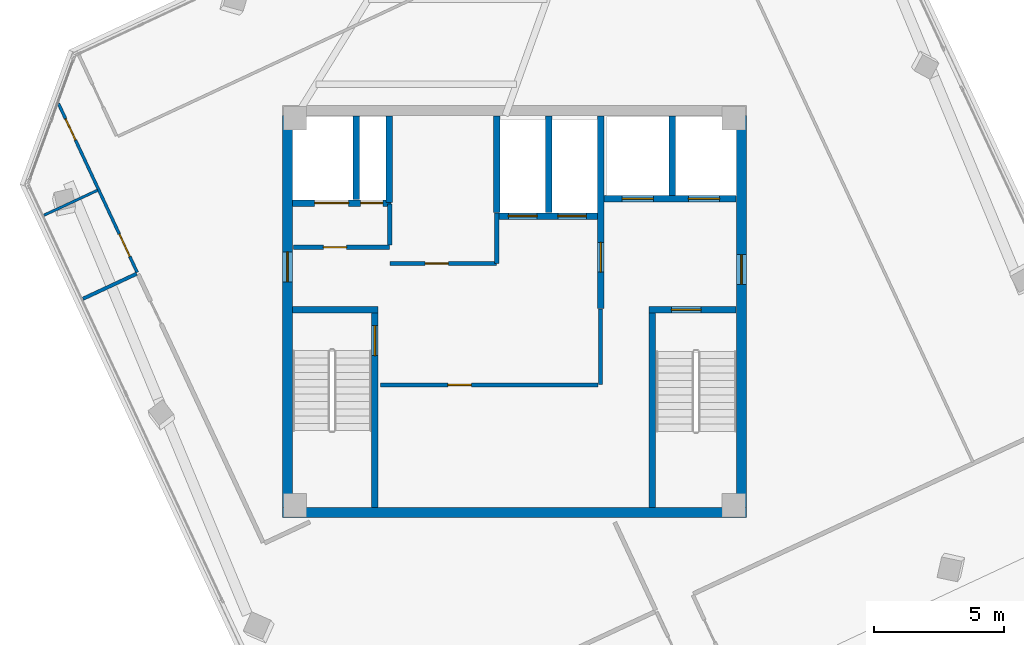
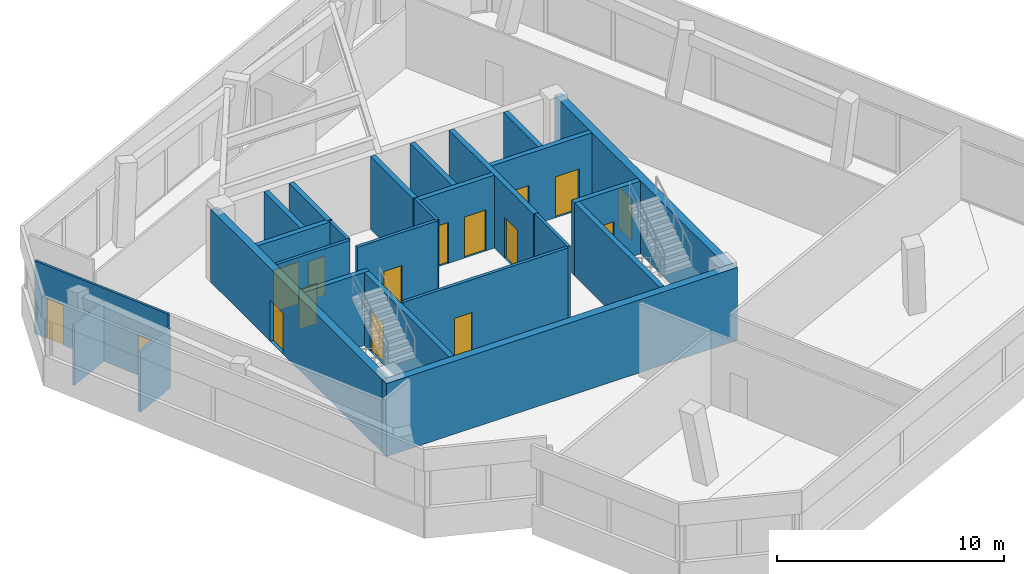
# One storey, part 12 of 16: 25 walls, 16 doors, 16 openings.
"""IFC4 building model written with IfcOpenShell, lengths in metres."""

from ifc_helpers import new_model, si_unit, direction, frame, frame_2d, origin, place, context, subcontext, project, spatial, rectangle, extrude, source, transform, mapped, material, layer, layer_set, type_object, element, fill, save


model = new_model("IFC4")

# Units and contexts
model_context = context("Model", 3, precision=1e-05, world=origin(), true_north=direction((0.0, 1.0)))
body_context = subcontext(model_context, "Body", "Model", "MODEL_VIEW")
ifc_project = project(units=[si_unit("LENGTHUNIT", "METRE"), si_unit("AREAUNIT", "SQUARE_METRE"), si_unit("VOLUMEUNIT", "CUBIC_METRE"), si_unit("PLANEANGLEUNIT", "RADIAN"), si_unit("MASSUNIT", "GRAM", prefix="KILO")], contexts=[model_context])

# Site, building, storey
site_placement = place(None, origin())
site = spatial("IfcSite", under=ifc_project, at=site_placement, CompositionType="ELEMENT")
building_placement = place(site_placement, origin())
building = spatial("IfcBuilding", under=site, at=building_placement, Name="Torre Montelarca", CompositionType="ELEMENT")
storey_placement = place(building_placement, frame((0.0, 0.0, 345.0)))
storey = spatial("IfcBuildingStorey", under=building, at=storey_placement, Name="L78", CompositionType="ELEMENT", Elevation=345.0)

# Wall, opening, door
ifc_material_1 = material(Name="Concrete C40/50", Category="concrete")
ifc_layer_1 = layer(ifc_material_1, 0.25, Name="Concrete C40/50", Category="concrete")
ifc_layer_set_1 = layer_set([ifc_layer_1], Name="Concrete C40/50")
wall_type_1 = type_object("IfcWallType", Name="CW-SHAFT-250", PredefinedType="SHEAR", material=ifc_layer_set_1)
wall_1_placement = place(storey_placement, frame((12.625, 24.4599609375, 0.0), z_axis=(0.0, 0.0, 1.0), x_axis=(0.0, 1.0, 0.0)))
wall_1 = element("IfcWall", 1, at=wall_1_placement, inside=storey, type_object=wall_type_1, Name="L78 Core Shear Wall SH-ST1-E", PredefinedType="SHEAR", context=body_context, shape_type="SweptSolid", body=[
    extrude(rectangle(XDim=7.489990234375, YDim=0.25, at=frame_2d((3.7451171875, 0.0))), origin(), (0.0, 0.0, 1.0), 3.919921875),
])
opening_1_placement = place(wall_1_placement, frame((5.85009765625, 0.0, 0.0)))
opening_1 = element("IfcOpeningElement", 2, at=opening_1_placement, cuts=wall_1, Name="Opening FD-ST1", PredefinedType="OPENING", context=body_context, shape_type="SweptSolid", body=[
    extrude(rectangle(XDim=1.14990234375, YDim=2.199951171875, at=frame_2d((0.574951171875, 1.10009765625))), frame((0.0, 0.135009765625, 0.0), z_axis=(0.0, -1.0, 0.0), x_axis=(1.0, 0.0, 0.0)), (0.0, 0.0, 1.0), 0.27001953125),
])
ifc_material_2 = material(Name="Galvanized steel fire door", Category="steel")
door_type_1 = type_object("IfcDoorType", Name="DR-STAIR-115", OperationType="NOTDEFINED", PredefinedType="DOOR", material=ifc_material_2)
shared_shape_1 = source(origin(), body_context, "Body", "SweptSolid", [
    extrude(rectangle(XDim=1.14990234375, YDim=2.199951171875, at=frame_2d((0.574951171875, 1.10009765625))), frame((0.0, 0.02490234375, 0.0), z_axis=(0.0, -1.0, 0.0), x_axis=(1.0, 0.0, 0.0)), (0.0, 0.0, 1.0), 0.050048828125),
])
door_1_placement = place(opening_1_placement, origin())
door_1 = element("IfcDoor", 3, at=door_1_placement, inside=storey, type_object=door_type_1, Name="L78 Exit Stair ST1 Fire Door", OperationType="SINGLE_SWING_RIGHT", OverallHeight=2.199951171875, OverallWidth=1.14990234375, PredefinedType="DOOR", context=body_context, shape_type="MappedRepresentation", body=[
    mapped(shared_shape_1, transform((0.0, 0.0, 0.0), scale=1.0)),
])
fill(opening_1, door_1)

# Walls
wall_2_placement = place(storey_placement, frame((9.4599609375, 32.074951171875, 0.0), z_axis=(0.0, 0.0, 1.0), x_axis=(1.0, 0.0, 0.0)))
element("IfcWall", 4, at=wall_2_placement, inside=storey, type_object=wall_type_1, Name="L78 Core Shear Wall SH-ST1-N", PredefinedType="SHEAR", context=body_context, shape_type="SweptSolid", body=[
    extrude(rectangle(XDim=3.2900390625, YDim=0.25, at=frame_2d((1.64501953125, 0.0))), origin(), (0.0, 0.0, 1.0), 3.919921875),
])
wall_3_placement = place(storey_placement, frame((23.31494140625, 24.4599609375, 0.0), z_axis=(0.0, 0.0, 1.0), x_axis=(0.0, 1.0, 0.0)))
element("IfcWall", 5, at=wall_3_placement, inside=storey, type_object=wall_type_1, Name="L78 Core Shear Wall SH-ST2-W", PredefinedType="SHEAR", context=body_context, shape_type="SweptSolid", body=[
    extrude(rectangle(XDim=7.489990234375, YDim=0.25, at=frame_2d((3.7451171875, 0.0))), origin(), (0.0, 0.0, 1.0), 3.919921875),
])

# Wall, opening, door
wall_4_placement = place(storey_placement, frame((23.18994140625, 32.074951171875, 0.0), z_axis=(0.0, 0.0, 1.0), x_axis=(1.0, 0.0, 0.0)))
wall_4 = element("IfcWall", 6, at=wall_4_placement, inside=storey, type_object=wall_type_1, Name="L78 Core Shear Wall SH-ST2-N", PredefinedType="SHEAR", context=body_context, shape_type="SweptSolid", body=[
    extrude(rectangle(XDim=3.35009765625, YDim=0.25, at=frame_2d((1.675048828125, 0.0))), origin(), (0.0, 0.0, 1.0), 3.919921875),
])
opening_2_placement = place(wall_4_placement, frame((0.85009765625, 0.0, 0.0)))
opening_2 = element("IfcOpeningElement", 7, at=opening_2_placement, cuts=wall_4, Name="Opening FD-ST1", PredefinedType="OPENING", context=body_context, shape_type="SweptSolid", body=[
    extrude(rectangle(XDim=1.14990234375, YDim=2.199951171875, at=frame_2d((0.574951171875, 1.10009765625))), frame((0.0, 0.135009765625, 0.0), z_axis=(0.0, -1.0, 0.0), x_axis=(1.0, 0.0, 0.0)), (0.0, 0.0, 1.0), 0.27001953125),
])
door_2_placement = place(opening_2_placement, origin())
door_2 = element("IfcDoor", 8, at=door_2_placement, inside=storey, type_object=door_type_1, Name="L78 Exit Stair ST2 Fire Door", OperationType="SINGLE_SWING_RIGHT", OverallHeight=2.199951171875, OverallWidth=1.14990234375, PredefinedType="DOOR", context=body_context, shape_type="MappedRepresentation", body=[
    mapped(shared_shape_1, transform((0.0, 0.0, 0.0), scale=1.0)),
])
fill(opening_2, door_2)

wall_5_placement = place(storey_placement, frame((21.320068359375, 32.1201171875, 0.0), z_axis=(0.0, 0.0, 1.0), x_axis=(0.0, 1.0, 0.0)))
wall_5 = element("IfcWall", 9, at=wall_5_placement, inside=storey, type_object=wall_type_1, Name="L78 Core Shear Wall SH-FFL-W", PredefinedType="SHEAR", context=body_context, shape_type="SweptSolid", body=[
    extrude(rectangle(XDim=7.419921875, YDim=0.25, at=frame_2d((3.7099609375, 0.0))), origin(), (0.0, 0.0, 1.0), 3.919921875),
])
opening_3_placement = place(wall_5_placement, frame((1.39990234375, 0.0, 0.0)))
opening_3 = element("IfcOpeningElement", 10, at=opening_3_placement, cuts=wall_5, Name="Opening FD-LB1", PredefinedType="OPENING", context=body_context, shape_type="SweptSolid", body=[
    extrude(rectangle(XDim=1.14990234375, YDim=2.199951171875, at=frame_2d((0.574951171875, 1.10009765625))), frame((0.0, 0.135009765625, 0.0), z_axis=(0.0, -1.0, 0.0), x_axis=(1.0, 0.0, 0.0)), (0.0, 0.0, 1.0), 0.27001953125),
])
ifc_material_3 = material(Name="Acoustic timber-veneered fire door", Category="wood")
door_type_2 = type_object("IfcDoorType", Name="DR-LOBBY-115", OperationType="NOTDEFINED", PredefinedType="DOOR", material=ifc_material_3)
shared_shape_2 = source(origin(), body_context, "Body", "SweptSolid", [
    extrude(rectangle(XDim=1.14990234375, YDim=2.199951171875, at=frame_2d((0.574951171875, 1.10009765625))), frame((0.0, 0.02490234375, 0.0), z_axis=(0.0, -1.0, 0.0), x_axis=(1.0, 0.0, 0.0)), (0.0, 0.0, 1.0), 0.050048828125),
])
door_3_placement = place(opening_3_placement, origin())
door_3 = element("IfcDoor", 11, at=door_3_placement, inside=storey, type_object=door_type_2, Name="L78 Lift Lobby to Firefighting Lobby Smoke Door", OperationType="SINGLE_SWING_LEFT", OverallHeight=2.199951171875, OverallWidth=1.14990234375, PredefinedType="DOOR", context=body_context, shape_type="MappedRepresentation", body=[
    mapped(shared_shape_2, transform((0.0, 0.0, 0.0), scale=1.0)),
])
fill(opening_3, door_3)

# Wall, openings, doors
wall_6_placement = place(storey_placement, frame((9.4599609375, 36.179931640625, 0.0), z_axis=(0.0, 0.0, 1.0), x_axis=(1.0, 0.0, 0.0)))
wall_6 = element("IfcWall", 12, at=wall_6_placement, inside=storey, type_object=wall_type_1, Name="L78 Core Shear Wall SH-SV1-S", PredefinedType="SHEAR", context=body_context, shape_type="SweptSolid", body=[
    extrude(rectangle(XDim=3.7900390625, YDim=0.25, at=frame_2d((1.89501953125, 0.0))), origin(), (0.0, 0.0, 1.0), 3.919921875),
])
opening_4_placement = place(wall_6_placement, frame((2.6201171875, 0.0, 0.0)))
opening_4 = element("IfcOpeningElement", 13, at=opening_4_placement, cuts=wall_6, Name="Opening FD-085", PredefinedType="OPENING", context=body_context, shape_type="SweptSolid", body=[
    extrude(rectangle(XDim=0.85009765625, YDim=2.10009765625, at=frame_2d((0.425048828125, 1.050048828125))), frame((0.0, 0.135009765625, 0.0), z_axis=(0.0, -1.0, 0.0), x_axis=(1.0, 0.0, 0.0)), (0.0, 0.0, 1.0), 0.27001953125),
])
opening_5_placement = place(wall_6_placement, frame((0.85009765625, 0.0, 0.0)))
opening_5 = element("IfcOpeningElement", 14, at=opening_5_placement, cuts=wall_6, Name="Opening LD-130", PredefinedType="OPENING", context=body_context, shape_type="SweptSolid", body=[
    extrude(rectangle(XDim=1.300048828125, YDim=2.25, at=frame_2d((0.64990234375, 1.125))), frame((0.0, 0.135009765625, 0.0), z_axis=(0.0, -1.0, 0.0), x_axis=(1.0, 0.0, 0.0)), (0.0, 0.0, 1.0), 0.27001953125),
])
ifc_material_4 = material(Name="Steel riser access fire door", Category="steel")
door_type_3 = type_object("IfcDoorType", Name="DR-RISER-085", OperationType="NOTDEFINED", PredefinedType="DOOR", material=ifc_material_4)
shared_shape_3 = source(origin(), body_context, "Body", "SweptSolid", [
    extrude(rectangle(XDim=0.85009765625, YDim=2.10009765625, at=frame_2d((0.425048828125, 1.050048828125))), frame((0.0, 0.02490234375, 0.0), z_axis=(0.0, -1.0, 0.0), x_axis=(1.0, 0.0, 0.0)), (0.0, 0.0, 1.0), 0.050048828125),
])
door_4_placement = place(opening_4_placement, origin())
door_4 = element("IfcDoor", 15, at=door_4_placement, inside=storey, type_object=door_type_3, Name="L78 Electrical Riser Shaft Access Door", OperationType="SINGLE_SWING_RIGHT", OverallHeight=2.10009765625, OverallWidth=0.85009765625, PredefinedType="DOOR", context=body_context, shape_type="MappedRepresentation", body=[
    mapped(shared_shape_3, transform((0.0, 0.0, 0.0), scale=1.0)),
])
fill(opening_4, door_4)
ifc_material_5 = material(Name="Brushed stainless steel AISI 316", Category="steel")
door_type_4 = type_object("IfcDoorType", Name="DR-LIFT-130", OperationType="SLIDING_TO_LEFT", PredefinedType="DOOR", material=ifc_material_5)
shared_shape_4 = source(origin(), body_context, "Body", "SweptSolid", [
    extrude(rectangle(XDim=1.300048828125, YDim=2.25, at=frame_2d((0.64990234375, 1.125))), frame((0.0, 0.02490234375, 0.0), z_axis=(0.0, -1.0, 0.0), x_axis=(1.0, 0.0, 0.0)), (0.0, 0.0, 1.0), 0.050048828125),
])
door_5_placement = place(opening_5_placement, origin())
door_5 = element("IfcDoor", 16, at=door_5_placement, inside=storey, type_object=door_type_4, Name="L78 Lift Landing Sliding Door SV-1", OperationType="SLIDING_TO_LEFT", OverallHeight=2.25, OverallWidth=1.300048828125, PredefinedType="DOOR", context=body_context, shape_type="MappedRepresentation", body=[
    mapped(shared_shape_4, transform((0.0, 0.0, 0.0), scale=1.0)),
])
fill(opening_5, door_5)

# Wall
wall_7_placement = place(storey_placement, frame((11.89990234375, 36.31005859375, 0.0), z_axis=(0.0, 0.0, 1.0), x_axis=(0.0, 1.0, 0.0)))
element("IfcWall", 17, at=wall_7_placement, inside=storey, type_object=wall_type_1, Name="L78 Core Shear Wall SH-SV1-E", PredefinedType="SHEAR", context=body_context, shape_type="SweptSolid", body=[
    extrude(rectangle(XDim=3.22998046875, YDim=0.25, at=frame_2d((1.614990234375, 0.0))), origin(), (0.0, 0.0, 1.0), 3.919921875),
])

# Wall, openings, doors
wall_8_placement = place(storey_placement, frame((21.449951171875, 36.35009765625, 0.0), z_axis=(0.0, 0.0, 1.0), x_axis=(1.0, 0.0, 0.0)))
wall_8 = element("IfcWall", 18, at=wall_8_placement, inside=storey, type_object=wall_type_1, Name="L78 Core Shear Wall SH-FF-S", PredefinedType="SHEAR", context=body_context, shape_type="SweptSolid", body=[
    extrude(rectangle(XDim=5.090087890625, YDim=0.25, at=frame_2d((2.544921875, 0.0))), origin(), (0.0, 0.0, 1.0), 3.919921875),
])
opening_6_placement = place(wall_8_placement, frame((0.699951171875, 0.0, 0.0)))
opening_6 = element("IfcOpeningElement", 19, at=opening_6_placement, cuts=wall_8, Name="Opening LD-120", PredefinedType="OPENING", context=body_context, shape_type="SweptSolid", body=[
    extrude(rectangle(XDim=1.199951171875, YDim=2.199951171875, at=frame_2d((0.60009765625, 1.10009765625))), frame((0.0, 0.135009765625, 0.0), z_axis=(0.0, -1.0, 0.0), x_axis=(1.0, 0.0, 0.0)), (0.0, 0.0, 1.0), 0.27001953125),
])
opening_7_placement = place(wall_8_placement, frame((3.25, 0.0, 0.0)))
opening_7 = element("IfcOpeningElement", 20, at=opening_7_placement, cuts=wall_8, Name="Opening LD-120", PredefinedType="OPENING", context=body_context, shape_type="SweptSolid", body=[
    extrude(rectangle(XDim=1.199951171875, YDim=2.199951171875, at=frame_2d((0.60009765625, 1.10009765625))), frame((0.0, 0.135009765625, 0.0), z_axis=(0.0, -1.0, 0.0), x_axis=(1.0, 0.0, 0.0)), (0.0, 0.0, 1.0), 0.27001953125),
])
door_type_5 = type_object("IfcDoorType", Name="DR-LIFT-120", OperationType="SLIDING_TO_RIGHT", PredefinedType="DOOR", material=ifc_material_5)
shared_shape_5 = source(origin(), body_context, "Body", "SweptSolid", [
    extrude(rectangle(XDim=1.199951171875, YDim=2.199951171875, at=frame_2d((0.60009765625, 1.10009765625))), frame((0.0, 0.02490234375, 0.0), z_axis=(0.0, -1.0, 0.0), x_axis=(1.0, 0.0, 0.0)), (0.0, 0.0, 1.0), 0.050048828125),
])
door_6_placement = place(opening_6_placement, origin())
door_6 = element("IfcDoor", 21, at=door_6_placement, inside=storey, type_object=door_type_5, Name="L78 Lift Landing Sliding Door FF-1", OperationType="SLIDING_TO_LEFT", OverallHeight=2.199951171875, OverallWidth=1.199951171875, PredefinedType="DOOR", context=body_context, shape_type="MappedRepresentation", body=[
    mapped(shared_shape_5, transform((0.0, 0.0, 0.0), scale=1.0)),
])
fill(opening_6, door_6)
door_7_placement = place(opening_7_placement, origin())
door_7 = element("IfcDoor", 22, at=door_7_placement, inside=storey, type_object=door_type_5, Name="L78 Lift Landing Sliding Door FF-2", OperationType="SLIDING_TO_RIGHT", OverallHeight=2.199951171875, OverallWidth=1.199951171875, PredefinedType="DOOR", context=body_context, shape_type="MappedRepresentation", body=[
    mapped(shared_shape_5, transform((0.0, 0.0, 0.0), scale=1.0)),
])
fill(opening_7, door_7)

# Walls
wall_9_placement = place(storey_placement, frame((24.080078125, 36.47998046875, 0.0), z_axis=(0.0, 0.0, 1.0), x_axis=(0.0, 1.0, 0.0)))
element("IfcWall", 23, at=wall_9_placement, inside=storey, type_object=wall_type_1, Name="L78 Core Shear Wall SH-FF-M", PredefinedType="SHEAR", context=body_context, shape_type="SweptSolid", body=[
    extrude(rectangle(XDim=3.06005859375, YDim=0.25, at=frame_2d((1.530029296875, 0.0))), origin(), (0.0, 0.0, 1.0), 3.919921875),
])
wall_10_placement = place(storey_placement, frame((13.179931640625, 36.199951171875, 0.0), z_axis=(0.0, 0.0, 1.0), x_axis=(0.0, 1.0, 0.0)))
element("IfcWall", 24, at=wall_10_placement, inside=storey, type_object=wall_type_1, Name="L78 Core Shear Wall SH-RSR1-E", PredefinedType="SHEAR", context=body_context, shape_type="SweptSolid", body=[
    extrude(rectangle(XDim=3.340087890625, YDim=0.25, at=frame_2d((1.669921875, 0.0))), origin(), (0.0, 0.0, 1.0), 3.919921875),
])

# Wall, openings, doors
wall_11_placement = place(storey_placement, frame((17.320068359375, 35.679931640625, 0.0), z_axis=(0.0, 0.0, 1.0), x_axis=(1.0, 0.0, 0.0)))
wall_11 = element("IfcWall", 25, at=wall_11_placement, inside=storey, type_object=wall_type_1, Name="L78 Core Shear Wall SH-PLH-S", PredefinedType="SHEAR", context=body_context, shape_type="SweptSolid", body=[
    extrude(rectangle(XDim=3.869873046875, YDim=0.25, at=frame_2d((1.93505859375, 0.0))), origin(), (0.0, 0.0, 1.0), 3.919921875),
])
opening_8_placement = place(wall_11_placement, frame((0.449951171875, 0.0, 0.0)))
opening_8 = element("IfcOpeningElement", 26, at=opening_8_placement, cuts=wall_11, Name="Opening LD-110", PredefinedType="OPENING", context=body_context, shape_type="SweptSolid", body=[
    extrude(rectangle(XDim=1.10009765625, YDim=2.199951171875, at=frame_2d((0.550048828125, 1.10009765625))), frame((0.0, 0.135009765625, 0.0), z_axis=(0.0, -1.0, 0.0), x_axis=(1.0, 0.0, 0.0)), (0.0, 0.0, 1.0), 0.27001953125),
])
opening_9_placement = place(wall_11_placement, frame((2.35009765625, 0.0, 0.0)))
opening_9 = element("IfcOpeningElement", 27, at=opening_9_placement, cuts=wall_11, Name="Opening LD-110", PredefinedType="OPENING", context=body_context, shape_type="SweptSolid", body=[
    extrude(rectangle(XDim=1.10009765625, YDim=2.199951171875, at=frame_2d((0.550048828125, 1.10009765625))), frame((0.0, 0.135009765625, 0.0), z_axis=(0.0, -1.0, 0.0), x_axis=(1.0, 0.0, 0.0)), (0.0, 0.0, 1.0), 0.27001953125),
])
door_type_6 = type_object("IfcDoorType", Name="DR-LIFT-110", OperationType="SLIDING_TO_LEFT", PredefinedType="DOOR", material=ifc_material_5)
shared_shape_6 = source(origin(), body_context, "Body", "SweptSolid", [
    extrude(rectangle(XDim=1.10009765625, YDim=2.199951171875, at=frame_2d((0.550048828125, 1.10009765625))), frame((0.0, 0.02490234375, 0.0), z_axis=(0.0, -1.0, 0.0), x_axis=(1.0, 0.0, 0.0)), (0.0, 0.0, 1.0), 0.050048828125),
])
door_8_placement = place(opening_8_placement, origin())
door_8 = element("IfcDoor", 28, at=door_8_placement, inside=storey, type_object=door_type_6, Name="L78 Lift Landing Sliding Door PL-H1", OperationType="SLIDING_TO_LEFT", OverallHeight=2.199951171875, OverallWidth=1.10009765625, PredefinedType="DOOR", context=body_context, shape_type="MappedRepresentation", body=[
    mapped(shared_shape_6, transform((0.0, 0.0, 0.0), scale=1.0)),
])
fill(opening_8, door_8)
door_9_placement = place(opening_9_placement, origin())
door_9 = element("IfcDoor", 29, at=door_9_placement, inside=storey, type_object=door_type_6, Name="L78 Lift Landing Sliding Door PL-H2", OperationType="SLIDING_TO_RIGHT", OverallHeight=2.199951171875, OverallWidth=1.10009765625, PredefinedType="DOOR", context=body_context, shape_type="MappedRepresentation", body=[
    mapped(shared_shape_6, transform((0.0, 0.0, 0.0), scale=1.0)),
])
fill(opening_9, door_9)

# Walls
for number, where, z_axis, x_axis, name in (
    (30, (17.320068359375, 35.81005859375, 0.0), (0.0, 0.0, 1.0), (0.0, 1.0, 0.0), "L78 Core Shear Wall SH-PLH-W"),
    (31, (19.320068359375, 35.81005859375, 0.0), (0.0, 0.0, 1.0), (0.0, 1.0, 0.0), "L78 Core Shear Wall SH-PLH-M"),
):
    element("IfcWall", number, at=place(storey_placement, frame(where, z_axis=z_axis, x_axis=x_axis)), inside=storey, type_object=wall_type_1, Name=name, PredefinedType="SHEAR", context=body_context, shape_type="SweptSolid", body=[
        extrude(rectangle(XDim=3.72998046875, YDim=0.25, at=frame_2d((1.864990234375, 0.0))), origin(), (0.0, 0.0, 1.0), 3.919921875),
    ])

# Wall, opening, door
ifc_layer_2 = layer(ifc_material_1, 0.3798828125, Name="Concrete C40/50", Category="concrete")
ifc_layer_set_2 = layer_set([ifc_layer_2], Name="Concrete C40/50")
wall_type_2 = type_object("IfcWallType", Name="CW-SHEAR-380", PredefinedType="SHEAR", material=ifc_layer_set_2)
wall_12_placement = place(storey_placement, frame((9.260009765625, 24.449951171875, 0.0), z_axis=(0.0, 0.0, 1.0), x_axis=(0.0, 1.0, 0.0)))
wall_12 = element("IfcWall", 32, at=wall_12_placement, inside=storey, type_object=wall_type_2, Name="L78 Core Shear Wall CW-W", PredefinedType="SHEAR", context=body_context, shape_type="SweptSolid", body=[
    extrude(rectangle(XDim=15.10009765625, YDim=0.3798828125, at=frame_2d((7.550048828125, 0.0))), origin(), (0.0, 0.0, 1.0), 3.919921875),
])
opening_10_placement = place(wall_12_placement, frame((8.699951171875, 0.0, 0.0)))
opening_10 = element("IfcOpeningElement", 33, at=opening_10_placement, cuts=wall_12, Name="Opening FD-LB1", PredefinedType="OPENING", context=body_context, shape_type="SweptSolid", body=[
    extrude(rectangle(XDim=1.14990234375, YDim=2.199951171875, at=frame_2d((0.574951171875, 1.10009765625))), frame((0.0, 0.199951171875, 0.0), z_axis=(0.0, -1.0, 0.0), x_axis=(1.0, 0.0, 0.0)), (0.0, 0.0, 1.0), 0.39990234375),
])
door_10_placement = place(opening_10_placement, origin())
door_10 = element("IfcDoor", 34, at=door_10_placement, inside=storey, type_object=door_type_2, Name="L78 Passenger Lift Lobby West Corridor Fire Door", OperationType="SINGLE_SWING_RIGHT", OverallHeight=2.199951171875, OverallWidth=1.14990234375, PredefinedType="DOOR", context=body_context, shape_type="MappedRepresentation", body=[
    mapped(shared_shape_2, transform((0.0, 0.0, 0.0), scale=1.0)),
])
fill(opening_10, door_10)

wall_13_placement = place(storey_placement, frame((26.739990234375, 24.449951171875, 0.0), z_axis=(0.0, 0.0, 1.0), x_axis=(0.0, 1.0, 0.0)))
wall_13 = element("IfcWall", 35, at=wall_13_placement, inside=storey, type_object=wall_type_2, Name="L78 Core Shear Wall CW-E", PredefinedType="SHEAR", context=body_context, shape_type="SweptSolid", body=[
    extrude(rectangle(XDim=15.10009765625, YDim=0.3798828125, at=frame_2d((7.550048828125, 0.0))), origin(), (0.0, 0.0, 1.0), 3.919921875),
])
opening_11_placement = place(wall_13_placement, frame((8.60009765625, 0.0, 0.0)))
opening_11 = element("IfcOpeningElement", 36, at=opening_11_placement, cuts=wall_13, Name="Opening FD-LB1", PredefinedType="OPENING", context=body_context, shape_type="SweptSolid", body=[
    extrude(rectangle(XDim=1.14990234375, YDim=2.199951171875, at=frame_2d((0.574951171875, 1.10009765625))), frame((0.0, 0.199951171875, 0.0), z_axis=(0.0, -1.0, 0.0), x_axis=(1.0, 0.0, 0.0)), (0.0, 0.0, 1.0), 0.39990234375),
])
door_11_placement = place(opening_11_placement, origin())
door_11 = element("IfcDoor", 37, at=door_11_placement, inside=storey, type_object=door_type_2, Name="L78 Firefighting Lift Lobby Corridor Fire Door", OperationType="SINGLE_SWING_RIGHT", OverallHeight=2.199951171875, OverallWidth=1.14990234375, PredefinedType="DOOR", context=body_context, shape_type="MappedRepresentation", body=[
    mapped(shared_shape_2, transform((0.0, 0.0, 0.0), scale=1.0)),
])
fill(opening_11, door_11)

# Wall
wall_14_placement = place(storey_placement, frame((9.070068359375, 24.260009765625, 0.0), z_axis=(0.0, 0.0, 1.0), x_axis=(1.0, 0.0, 0.0)))
element("IfcWall", 38, at=wall_14_placement, inside=storey, type_object=wall_type_2, Name="L78 Core Shear Wall CW-S1", PredefinedType="SHEAR", context=body_context, shape_type="SweptSolid", body=[
    extrude(rectangle(XDim=17.85986328125, YDim=0.3798828125, at=frame_2d((8.929931640625, 0.0))), origin(), (0.0, 0.0, 1.0), 3.919921875),
])

# Wall, opening, door
ifc_material_6 = material(Name="Gypsum plasterboard on steel stud", Category="steel")
ifc_layer_3 = layer(ifc_material_6, 0.159912109375, Name="Gypsum plasterboard on steel stud", Category="steel")
ifc_layer_set_3 = layer_set([ifc_layer_3], Name="Gypsum plasterboard on steel stud")
wall_type_3 = type_object("IfcWallType", Name="PW-FIRE-160", PredefinedType="PARTITIONING", material=ifc_layer_set_3)
wall_15_placement = place(storey_placement, frame((9.489990234375, 34.47998046875, 0.0), z_axis=(0.0, 0.0, 1.0), x_axis=(1.0, 0.0, 0.0)))
wall_15 = element("IfcWall", 39, at=wall_15_placement, inside=storey, type_object=wall_type_3, Name="L78 Interior Partition CW-L78-SVS", PredefinedType="PARTITIONING", context=body_context, shape_type="SweptSolid", body=[
    extrude(rectangle(XDim=3.699951171875, YDim=0.159912109375, at=frame_2d((1.85009765625, 0.0))), origin(), (0.0, 0.0, 1.0), 3.919921875),
])
opening_12_placement = place(wall_15_placement, frame((1.14990234375, 0.0, 0.0)))
opening_12 = element("IfcOpeningElement", 40, at=opening_12_placement, cuts=wall_15, Name="Opening FD-090", PredefinedType="OPENING", context=body_context, shape_type="SweptSolid", body=[
    extrude(rectangle(XDim=0.89990234375, YDim=2.14990234375, at=frame_2d((0.449951171875, 1.074951171875))), frame((0.0, 0.08984375, 0.0), z_axis=(0.0, -1.0, 0.0), x_axis=(1.0, 0.0, 0.0)), (0.0, 0.0, 1.0), 0.179931640625),
])
ifc_material_7 = material(Name="Steel service fire door", Category="steel")
door_type_7 = type_object("IfcDoorType", Name="DR-FIRE-090", OperationType="NOTDEFINED", PredefinedType="DOOR", material=ifc_material_7)
shared_shape_7 = source(origin(), body_context, "Body", "SweptSolid", [
    extrude(rectangle(XDim=0.89990234375, YDim=2.14990234375, at=frame_2d((0.449951171875, 1.074951171875))), frame((0.0, 0.02490234375, 0.0), z_axis=(0.0, -1.0, 0.0), x_axis=(1.0, 0.0, 0.0)), (0.0, 0.0, 1.0), 0.050048828125),
])
door_12_placement = place(opening_12_placement, origin())
door_12 = element("IfcDoor", 41, at=door_12_placement, inside=storey, type_object=door_type_7, Name="L78 Interior Door 01", OperationType="SINGLE_SWING_RIGHT", OverallHeight=2.14990234375, OverallWidth=0.89990234375, PredefinedType="DOOR", context=body_context, shape_type="MappedRepresentation", body=[
    mapped(shared_shape_7, transform((0.0, 0.0, 0.0), scale=1.0)),
])
fill(opening_12, door_12)

# Wall
wall_16_placement = place(storey_placement, frame((13.199951171875, 34.570068359375, 0.0), z_axis=(0.0, 0.0, 1.0), x_axis=(0.0, 1.0, 0.0)))
element("IfcWall", 42, at=wall_16_placement, inside=storey, type_object=wall_type_3, Name="L78 Interior Partition CW-L78-SVE", PredefinedType="PARTITIONING", context=body_context, shape_type="SweptSolid", body=[
    extrude(rectangle(XDim=1.56982421875, YDim=0.159912109375, at=frame_2d((0.784912109375, 0.0))), origin(), (0.0, 0.0, 1.0), 3.919921875),
])

# Wall, opening, door
wall_17_placement = place(storey_placement, frame((13.2099609375, 33.85009765625, 0.0), z_axis=(0.0, 0.0, 1.0), x_axis=(1.0, 0.0, 0.0)))
wall_17 = element("IfcWall", 43, at=wall_17_placement, inside=storey, type_object=wall_type_3, Name="L78 Interior Partition CW-L78-FRMS", PredefinedType="PARTITIONING", context=body_context, shape_type="SweptSolid", body=[
    extrude(rectangle(XDim=4.10009765625, YDim=0.159912109375, at=frame_2d((2.050048828125, 0.0))), origin(), (0.0, 0.0, 1.0), 3.919921875),
])
opening_13_placement = place(wall_17_placement, frame((1.35009765625, 0.0, 0.0)))
opening_13 = element("IfcOpeningElement", 44, at=opening_13_placement, cuts=wall_17, Name="Opening FD-090", PredefinedType="OPENING", context=body_context, shape_type="SweptSolid", body=[
    extrude(rectangle(XDim=0.89990234375, YDim=2.14990234375, at=frame_2d((0.449951171875, 1.074951171875))), frame((0.0, 0.08984375, 0.0), z_axis=(0.0, -1.0, 0.0), x_axis=(1.0, 0.0, 0.0)), (0.0, 0.0, 1.0), 0.179931640625),
])
door_13_placement = place(opening_13_placement, origin())
door_13 = element("IfcDoor", 45, at=door_13_placement, inside=storey, type_object=door_type_7, Name="L78 Interior Door 02", OperationType="SINGLE_SWING_LEFT", OverallHeight=2.14990234375, OverallWidth=0.89990234375, PredefinedType="DOOR", context=body_context, shape_type="MappedRepresentation", body=[
    mapped(shared_shape_7, transform((0.0, 0.0, 0.0), scale=1.0)),
])
fill(opening_13, door_13)

# Wall
wall_18_placement = place(storey_placement, frame((17.320068359375, 33.860107421875, 0.0), z_axis=(0.0, 0.0, 1.0), x_axis=(0.0, 1.0, 0.0)))
element("IfcWall", 46, at=wall_18_placement, inside=storey, type_object=wall_type_3, Name="L78 Interior Partition CW-L78-FRME", PredefinedType="PARTITIONING", context=body_context, shape_type="SweptSolid", body=[
    extrude(rectangle(XDim=1.929931640625, YDim=0.159912109375, at=frame_2d((0.96484375, 0.0))), origin(), (0.0, 0.0, 1.0), 3.919921875),
])

# Wall, opening, door
wall_19_placement = place(storey_placement, frame((12.840087890625, 29.179931640625, 0.0), z_axis=(0.0, 0.0, 1.0), x_axis=(1.0, 0.0, 0.0)))
wall_19 = element("IfcWall", 47, at=wall_19_placement, inside=storey, type_object=wall_type_3, Name="L78 Interior Partition CW-L78-FRDN", PredefinedType="PARTITIONING", context=body_context, shape_type="SweptSolid", body=[
    extrude(rectangle(XDim=8.369873046875, YDim=0.159912109375, at=frame_2d((4.18505859375, 0.0))), origin(), (0.0, 0.0, 1.0), 3.919921875),
])
opening_14_placement = place(wall_19_placement, frame((2.60009765625, 0.0, 0.0)))
opening_14 = element("IfcOpeningElement", 48, at=opening_14_placement, cuts=wall_19, Name="Opening FD-090", PredefinedType="OPENING", context=body_context, shape_type="SweptSolid", body=[
    extrude(rectangle(XDim=0.89990234375, YDim=2.14990234375, at=frame_2d((0.449951171875, 1.074951171875))), frame((0.0, 0.08984375, 0.0), z_axis=(0.0, -1.0, 0.0), x_axis=(1.0, 0.0, 0.0)), (0.0, 0.0, 1.0), 0.179931640625),
])
door_14_placement = place(opening_14_placement, origin())
door_14 = element("IfcDoor", 49, at=door_14_placement, inside=storey, type_object=door_type_7, Name="L78 Interior Door 03", OperationType="SINGLE_SWING_LEFT", OverallHeight=2.14990234375, OverallWidth=0.89990234375, PredefinedType="DOOR", context=body_context, shape_type="MappedRepresentation", body=[
    mapped(shared_shape_7, transform((0.0, 0.0, 0.0), scale=1.0)),
])
fill(opening_14, door_14)

# Walls
wall_20_placement = place(storey_placement, frame((21.320068359375, 29.18994140625, 0.0), z_axis=(0.0, 0.0, 1.0), x_axis=(0.0, 1.0, 0.0)))
element("IfcWall", 50, at=wall_20_placement, inside=storey, type_object=wall_type_3, Name="L78 Interior Partition CW-L78-FRE", PredefinedType="PARTITIONING", context=body_context, shape_type="SweptSolid", body=[
    extrude(rectangle(XDim=2.920166015625, YDim=0.159912109375, at=frame_2d((1.4599609375, 0.0))), origin(), (0.0, 0.0, 1.0), 3.919921875),
])
ifc_material_8 = material(Name="Acoustic laminated glass partition", Category="glass")
ifc_layer_4 = layer(ifc_material_8, 0.10009765625, Name="Acoustic laminated glass partition", Category="glass")
ifc_layer_set_4 = layer_set([ifc_layer_4], Name="Acoustic laminated glass partition")
wall_type_4 = type_object("IfcWallType", Name="PW-GLAZ-100", PredefinedType="PARTITIONING", material=ifc_layer_set_4)
wall_21_placement = place(storey_placement, frame((-0.1142578125, 35.71337890625, 0.0), z_axis=(0.0, 0.0, 1.0), x_axis=(0.906322623411, 0.422586443575, 0.0)))
element("IfcWall", 51, at=wall_21_placement, inside=storey, type_object=wall_type_4, Name="L78 Interior Partition W-L78-WCD", PredefinedType="PARTITIONING", context=body_context, shape_type="SweptSolid", body=[
    extrude(rectangle(XDim=2.27978515625, YDim=0.10009765625, at=frame_2d((1.139892578125, 0.0))), origin(), (0.0, 0.0, 1.0), 3.2548828125),
])

# Wall, openings, doors
ifc_layer_5 = layer(ifc_material_6, 0.114990234375, Name="Gypsum plasterboard on steel stud", Category="steel")
ifc_layer_set_5 = layer_set([ifc_layer_5], Name="Gypsum plasterboard on steel stud")
wall_type_5 = type_object("IfcWallType", Name="PW-PART-115", PredefinedType="PARTITIONING", material=ifc_layer_set_5)
wall_22_placement = place(storey_placement, frame((0.440673828125, 40.0126953125, 0.0), z_axis=(0.0, 0.0, 1.0), x_axis=(0.422618958231, -0.906307462258, 0.0)))
wall_22 = element("IfcWall", 52, at=wall_22_placement, inside=storey, type_object=wall_type_5, Name="L78 Interior Partition W-L78-WCN", PredefinedType="PARTITIONING", context=body_context, shape_type="SweptSolid", body=[
    extrude(rectangle(XDim=7.171875, YDim=0.114990234375, at=frame_2d((3.5859375, 0.0))), origin(), (0.0, 0.0, 1.0), 3.919921875),
])
opening_15_placement = place(wall_22_placement, frame((0.64990234375, 0.0, 0.0)))
opening_15 = element("IfcOpeningElement", 53, at=opening_15_placement, cuts=wall_22, Name="Opening ID-090", PredefinedType="OPENING", context=body_context, shape_type="SweptSolid", body=[
    extrude(rectangle(XDim=0.89990234375, YDim=2.14990234375, at=frame_2d((0.449951171875, 1.074951171875))), frame((0.0, 0.0673828125, 0.0), z_axis=(0.0, -1.0, 0.0), x_axis=(1.0, 0.0, 0.0)), (0.0, 0.0, 1.0), 0.135009765625),
])
opening_16_placement = place(wall_22_placement, frame((5.550048828125, 0.0, 0.0)))
opening_16 = element("IfcOpeningElement", 54, at=opening_16_placement, cuts=wall_22, Name="Opening ID-095", PredefinedType="OPENING", context=body_context, shape_type="SweptSolid", body=[
    extrude(rectangle(XDim=0.949951171875, YDim=2.14990234375, at=frame_2d((0.47509765625, 1.074951171875))), frame((0.0, 0.0673828125, 0.0), z_axis=(0.0, -1.0, 0.0), x_axis=(1.0, 0.0, 0.0)), (0.0, 0.0, 1.0), 0.135009765625),
])
ifc_material_9 = material(Name="Hardwood acoustic timber veneer", Category="wood")
door_type_8 = type_object("IfcDoorType", Name="DR-INT-090", OperationType="NOTDEFINED", PredefinedType="DOOR", material=ifc_material_9)
shared_shape_8 = source(origin(), body_context, "Body", "SweptSolid", [
    extrude(rectangle(XDim=0.89990234375, YDim=2.14990234375, at=frame_2d((0.449951171875, 1.074951171875))), frame((0.0, 0.02490234375, 0.0), z_axis=(0.0, -1.0, 0.0), x_axis=(1.0, 0.0, 0.0)), (0.0, 0.0, 1.0), 0.050048828125),
])
door_15_placement = place(opening_15_placement, origin())
door_15 = element("IfcDoor", 55, at=door_15_placement, inside=storey, type_object=door_type_8, Name="L78 Interior Door 04", OperationType="SINGLE_SWING_LEFT", OverallHeight=2.14990234375, OverallWidth=0.89990234375, PredefinedType="DOOR", context=body_context, shape_type="MappedRepresentation", body=[
    mapped(shared_shape_8, transform((0.0, 0.0, 0.0), scale=1.0)),
])
fill(opening_15, door_15)
door_type_9 = type_object("IfcDoorType", Name="DR-INT-095", OperationType="NOTDEFINED", PredefinedType="DOOR", material=ifc_material_9)
shared_shape_9 = source(origin(), body_context, "Body", "SweptSolid", [
    extrude(rectangle(XDim=0.949951171875, YDim=2.14990234375, at=frame_2d((0.47509765625, 1.074951171875))), frame((0.0, 0.02490234375, 0.0), z_axis=(0.0, -1.0, 0.0), x_axis=(1.0, 0.0, 0.0)), (0.0, 0.0, 1.0), 0.050048828125),
])
door_16_placement = place(opening_16_placement, origin())
door_16 = element("IfcDoor", 56, at=door_16_placement, inside=storey, type_object=door_type_9, Name="L78 Interior Door 05", OperationType="SINGLE_SWING_RIGHT", OverallHeight=2.14990234375, OverallWidth=0.949951171875, PredefinedType="DOOR", context=body_context, shape_type="MappedRepresentation", body=[
    mapped(shared_shape_9, transform((0.0, 0.0, 0.0), scale=1.0)),
])
fill(opening_16, door_16)

# Wall
ifc_layer_6 = layer(ifc_material_6, 0.135009765625, Name="Gypsum plasterboard on steel stud", Category="steel")
ifc_layer_set_6 = layer_set([ifc_layer_6], Name="Gypsum plasterboard on steel stud")
wall_type_6 = type_object("IfcWallType", Name="PW-PART-135", PredefinedType="PARTITIONING", material=ifc_layer_set_6)
wall_23_placement = place(storey_placement, frame((1.385986328125, 32.495849609375, 0.0), z_axis=(0.0, 0.0, 1.0), x_axis=(0.906281604662, 0.422674405483, 0.0)))
element("IfcWall", 57, at=wall_23_placement, inside=storey, type_object=wall_type_6, Name="L78 Interior Partition W-L78-SWCDIV", PredefinedType="PARTITIONING", context=body_context, shape_type="SweptSolid", body=[
    extrude(rectangle(XDim=2.27978515625, YDim=0.135009765625, at=frame_2d((1.139892578125, 0.0))), origin(), (0.0, 0.0, 1.0), 3.2548828125),
])

save(model, "model.ifc")
